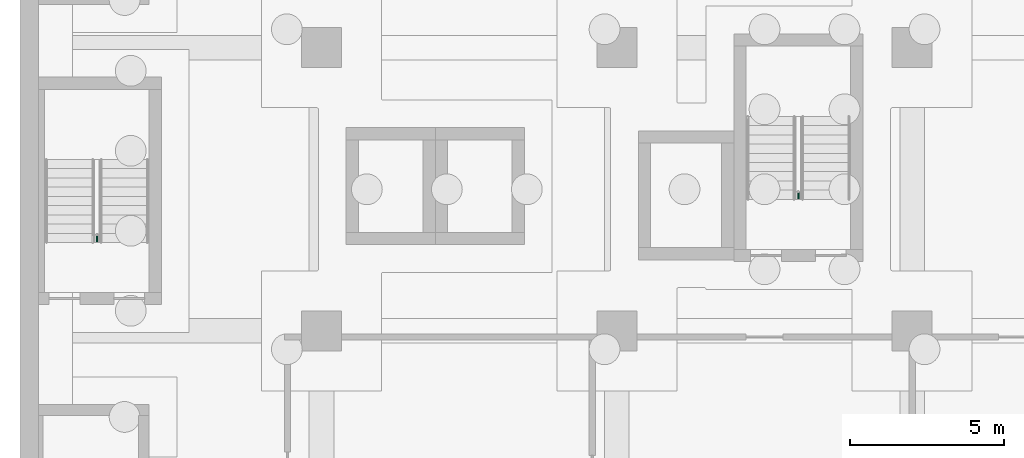
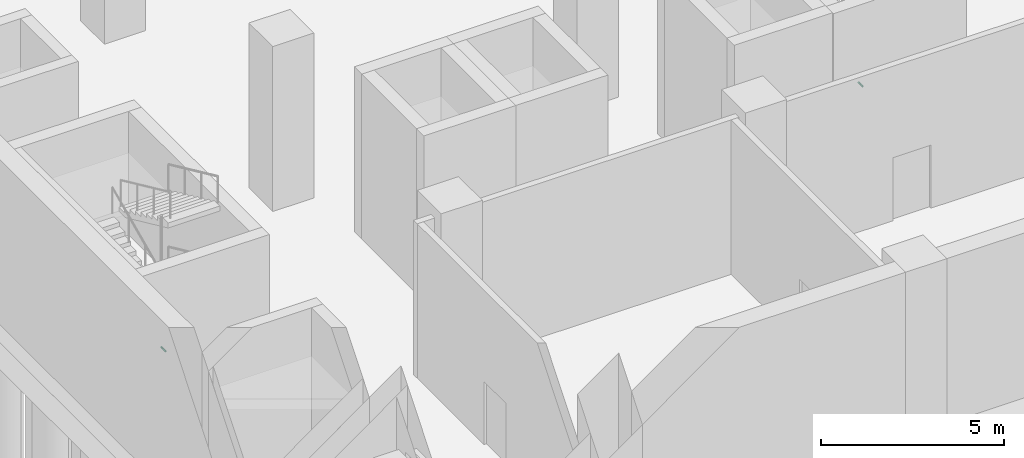
# One storey, part 27 of 33: 2 pipe fittings.
"""IFC4 building model written with IfcOpenShell, lengths in metres."""

from ifc_helpers import new_model, si_unit, direction, frame, origin, origin_2d, place, context, subcontext, project, spatial, circle, extrude, element, save


model = new_model("IFC4")

# Units and contexts
model_context = context("Model", 3, precision=1e-05, world=origin(), true_north=direction((0.0, 1.0)))
body_context = subcontext(model_context, "Body", "Model", "MODEL_VIEW")
ifc_project = project(units=[si_unit("LENGTHUNIT", "METRE"), si_unit("AREAUNIT", "SQUARE_METRE"), si_unit("VOLUMEUNIT", "CUBIC_METRE"), si_unit("PLANEANGLEUNIT", "RADIAN"), si_unit("MASSUNIT", "GRAM", prefix="KILO")], contexts=[model_context])

# Site, building, storey
site_placement = place(None, origin())
site = spatial("IfcSite", under=ifc_project, at=site_placement, CompositionType="ELEMENT")
building_placement = place(site_placement, origin())
building = spatial("IfcBuilding", under=site, at=building_placement, Name="Nzadi Deep Aquarium and Research Tower", CompositionType="ELEMENT")
storey_placement = place(building_placement, frame((0.0, 0.0, -5.5)))
storey = spatial("IfcBuildingStorey", under=building, at=storey_placement, Name="B1", CompositionType="ELEMENT", Elevation=-5.5)

# Pipe fittings
for number, where, z_axis, x_axis, name in (
    (1, (2.300048828125, 12.320068359375, 1.10009765625), (0.0, -1.0, 0.0), (1.0, 0.0, 0.0), "Dry riser outlet ST-Z1-SW B1"),
    (2, (25.10009765625, 13.719970703125, 1.10009765625), (0.0, -1.0, 0.0), (1.0, 0.0, 0.0), "Dry riser outlet ST-Z1-SE B1"),
):
    element("IfcPipeFitting", number, at=place(storey_placement, frame(where, z_axis=z_axis, x_axis=x_axis)), inside=storey, Name=name, PredefinedType="EXIT", context=body_context, shape_type="SweptSolid", body=[
        extrude(circle(Radius=0.0224609375, at=origin_2d()), origin(), (0.0, 0.0, 1.0), 0.22998046875),
    ])

save(model, "model.ifc")
